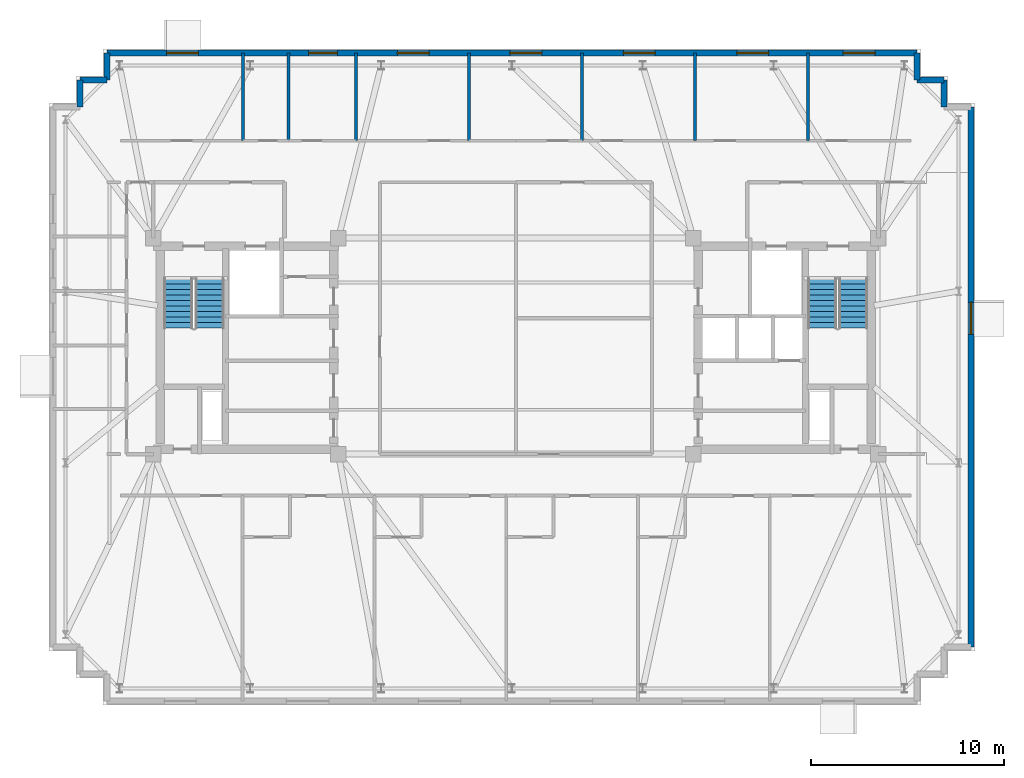
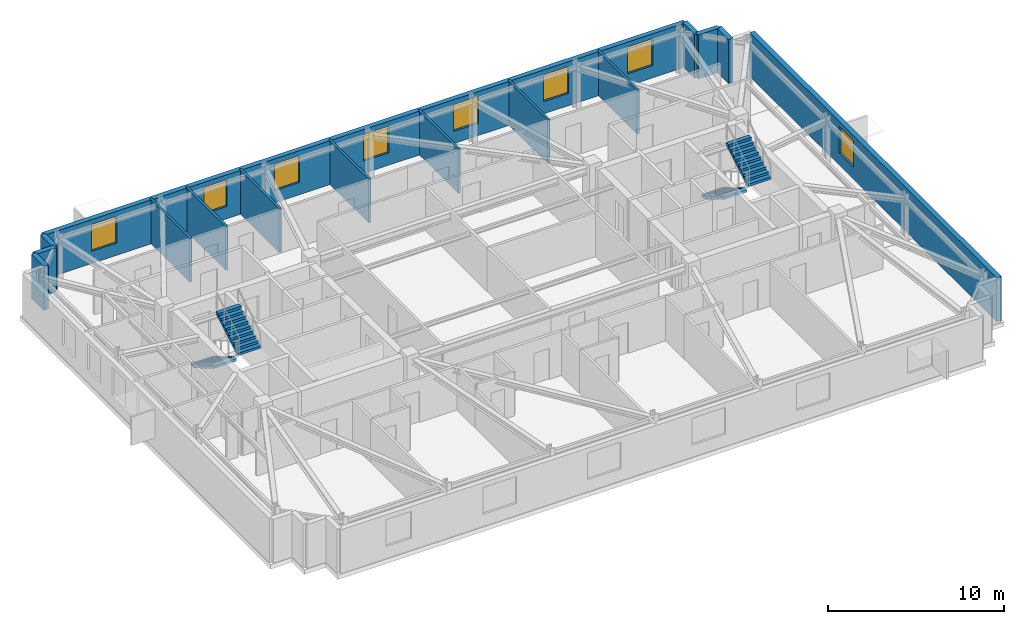
# One storey, part 9 of 11: 15 walls, 8 windows, 4 stair flights, 8 openings, 2 elements without a shape of their own.
"""IFC4 building model written with IfcOpenShell, lengths in metres."""

import ifcopenshell
import ifcopenshell.guid

model = None  # the IFC model being written
_history = None  # IfcOwnerHistory: only IFC2X3 demands one
_inside = {}  # id of a spatial element -> (the spatial element, [elements in it])
_under = {}  # id of a project, library or spatial element -> (it, [spatial elements below it])
_declared = {}  # id of a project -> (the project, [libraries it declares])
_typed = {}  # id of a type object -> (the type object, [elements of that type])
_made_of = {}  # id of a material, layer set ... -> (it, [elements and type objects made of it])


def new_model(schema):
    """Start an empty IFC model of exactly this schema.

    Asked for "IFC4X3", IfcOpenShell would pick the latest addendum, in which some entities
    have other attributes; the version numbers below select the first issue.
    IFC2X3 requires an IfcOwnerHistory on every rooted entity: one is made here for all.
    """
    global model, _history
    if schema == "IFC4X3":
        model = ifcopenshell.file(schema_version=(4, 3, 0, 0))
    else:
        model = ifcopenshell.file(schema=schema)
    _inside.clear()
    _under.clear()
    _declared.clear()
    _typed.clear()
    _made_of.clear()
    _history = None
    if model.schema == "IFC2X3":
        org = make("IfcOrganization", Name="unknown")
        user = make(
            "IfcPersonAndOrganization",
            ThePerson=make("IfcPerson", FamilyName="unknown"),
            TheOrganization=org,
        )
        app = make(
            "IfcApplication",
            ApplicationDeveloper=org,
            Version="unknown",
            ApplicationFullName="unknown",
            ApplicationIdentifier="unknown",
        )
        _history = make(
            "IfcOwnerHistory",
            OwningUser=user,
            OwningApplication=app,
            ChangeAction="ADDED",
            CreationDate=0,
        )
    return model


def make(cls, **values):
    """One entity of the class cls with the attributes given. An attribute that is None is left unset."""
    return model.create_entity(
        cls, **{name: value for name, value in values.items() if value is not None}
    )


def rooted(cls, **values):
    """An entity with a GlobalId (a new one), such as an element, a storey or a relation."""
    return make(cls, GlobalId=ifcopenshell.guid.new(), OwnerHistory=_history, **values)


def si_unit(unit_type, name, prefix=None):
    """IfcSIUnit, for example si_unit("LENGTHUNIT", "METRE", prefix="MILLI")."""
    return make("IfcSIUnit", UnitType=unit_type, Prefix=prefix, Name=name)


def assignment(units):
    """IfcUnitAssignment: the units of a project."""
    return None if units is None else make("IfcUnitAssignment", Units=units)


def point(xyz):
    """IfcCartesianPoint."""
    return None if xyz is None else make("IfcCartesianPoint", Coordinates=xyz)


def direction(xyz):
    """IfcDirection."""
    return None if xyz is None else make("IfcDirection", DirectionRatios=xyz)


def frame(location, z_axis=None, x_axis=None):
    """IfcAxis2Placement3D, a coordinate frame: its origin and axes. An axis left out is left unset."""
    return make(
        "IfcAxis2Placement3D",
        Location=point(location),
        Axis=direction(z_axis),
        RefDirection=direction(x_axis),
    )


def frame_2d(location, x_axis=None):
    """IfcAxis2Placement2D, a coordinate frame in the plane: its origin and x axis."""
    return make(
        "IfcAxis2Placement2D", Location=point(location), RefDirection=direction(x_axis)
    )


def origin():
    """The frame at (0, 0, 0) with its axes left unset."""
    return frame((0.0, 0.0, 0.0))


def place(relative_to, where):
    """IfcLocalPlacement: puts the frame where relative to a parent placement (None: the world)."""
    return make(
        "IfcLocalPlacement", PlacementRelTo=relative_to, RelativePlacement=where
    )


def context(
    kind, dimensions, precision=None, world=None, true_north=None, identifier=None
):
    """IfcGeometricRepresentationContext, for example the 3D "Model" context."""
    return make(
        "IfcGeometricRepresentationContext",
        ContextIdentifier=identifier,
        ContextType=kind,
        CoordinateSpaceDimension=dimensions,
        Precision=precision,
        WorldCoordinateSystem=world,
        TrueNorth=true_north,
    )


def subcontext(parent, identifier, kind, view, scale=None):
    """IfcGeometricRepresentationSubContext, for example "Body" below "Model"."""
    return make(
        "IfcGeometricRepresentationSubContext",
        ContextIdentifier=identifier,
        ContextType=kind,
        ParentContext=parent,
        TargetScale=scale,
        TargetView=view,
    )


def project(units=None, contexts=None):
    """IfcProject with its units and contexts."""
    return rooted(
        "IfcProject",
        Name="project",
        RepresentationContexts=contexts,
        UnitsInContext=assignment(units),
    )


def spatial(cls, under=None, at=None, **own):
    """A site, building, storey or space (cls), placed at a placement, below another one or the project."""
    s = rooted(cls, ObjectPlacement=at, **own)
    if under is not None:
        _under.setdefault(under.id(), (under, []))[1].append(s)
    return s


def polyline(points):
    """IfcPolyline through the points."""
    return make("IfcPolyline", Points=[point(p) for p in points])


def profile(cls, at=None, kind="AREA", **sizes):
    """A parametric profile (cls). Its sizes go by their IFC names, for example OverallWidth=200.0."""
    return make(cls, ProfileType=kind, Position=at, **sizes)


def rectangle(**sizes):
    """IfcRectangleProfileDef."""
    return profile("IfcRectangleProfileDef", **sizes)


def outline(outer, holes=None, kind="AREA"):
    """IfcArbitraryClosedProfileDef: a profile drawn as a closed curve; with holes, ...WithVoids."""
    if holes is None:
        return make("IfcArbitraryClosedProfileDef", ProfileType=kind, OuterCurve=outer)
    return make(
        "IfcArbitraryProfileDefWithVoids",
        ProfileType=kind,
        OuterCurve=outer,
        InnerCurves=holes,
    )


def extrude(swept, where, along, depth):
    """IfcExtrudedAreaSolid: the profile swept, set in the frame where, extruded along a direction by depth."""
    return make(
        "IfcExtrudedAreaSolid",
        SweptArea=swept,
        Position=where,
        ExtrudedDirection=direction(along),
        Depth=depth,
    )


def shape(context_of_items, identifier, shape_type, items):
    """IfcShapeRepresentation: the items that make up one representation, for example the "Body"."""
    return make(
        "IfcShapeRepresentation",
        ContextOfItems=context_of_items,
        RepresentationIdentifier=identifier,
        RepresentationType=shape_type,
        Items=items,
    )


def material(Name=None, Category=None):
    """IfcMaterial."""
    return make("IfcMaterial", Name=Name, Category=Category)


def layer(
    of_material, thickness, ventilated=None, Name=None, Category=None, Priority=None
):
    """IfcMaterialLayer: one layer of a wall or slab, of a material (None: an air gap)."""
    return make(
        "IfcMaterialLayer",
        Material=of_material,
        LayerThickness=thickness,
        IsVentilated=ventilated,
        Name=Name,
        Category=Category,
        Priority=Priority,
    )


def layer_set(layers, Name=None):
    """IfcMaterialLayerSet."""
    return make("IfcMaterialLayerSet", MaterialLayers=layers, LayerSetName=Name)


def made_of(thing, what):
    """Note that an element or type object is made of a material, layer set ...; save() writes the relation."""
    if what is not None:
        _made_of.setdefault(what.id(), (what, []))[1].append(thing)
    return thing


def type_object(cls, material=None, **own):
    """A type object (cls), such as IfcWallType, which elements share."""
    return made_of(rooted(cls, **own), material)


def element(
    cls,
    number,
    at=None,
    inside=None,
    cuts=None,
    type_object=None,
    material=None,
    context=None,
    identifier="Body",
    shape_type=None,
    held_by="IfcProductDefinitionShape",
    body=None,
    shapes=None,
    **own,
):
    """One element of the class cls, such as IfcWall. Its Tag is "e" and its number.

    at: its placement. inside: the storey or other place that contains it. cuts: it is an
    opening in that element (IfcRelVoidsElement). A single representation is given by context,
    identifier, shape_type and body (its items); several are given by shapes. held_by: the class
    of the entity that holds the representations. save() writes the other relations.
    """
    e = rooted(cls, Tag="e%d" % number, ObjectPlacement=at, **own)
    if body is not None:
        shapes = [shape(context, identifier, shape_type, body)]
    if shapes is not None:
        e.Representation = make(held_by, Representations=shapes)
    if inside is not None:
        _inside.setdefault(inside.id(), (inside, []))[1].append(e)
    if cuts is not None:
        rooted(
            "IfcRelVoidsElement", RelatingBuildingElement=cuts, RelatedOpeningElement=e
        )
    if type_object is not None:
        _typed.setdefault(type_object.id(), (type_object, []))[1].append(e)
    return made_of(e, material)


def fill(opening, filler):
    """IfcRelFillsElement: the door or window that sits in an opening."""
    return rooted(
        "IfcRelFillsElement",
        RelatingOpeningElement=opening,
        RelatedBuildingElement=filler,
    )


def aggregate(whole, parts):
    """IfcRelAggregates: a whole, such as a stair, and the parts it consists of."""
    return rooted("IfcRelAggregates", RelatingObject=whole, RelatedObjects=parts)


def save(model, path):
    """Write the relations noted so far, then the file.

    IfcRelAggregates (storeys below a building ...), IfcRelContainedInSpatialStructure (elements
    in a storey), IfcRelDefinesByType, IfcRelAssociatesMaterial and IfcRelDeclares: one each for
    every whole, place, type object, material and project.
    """
    for whole, parts in _under.values():
        aggregate(whole, parts)
    for where, things in _inside.values():
        rooted(
            "IfcRelContainedInSpatialStructure",
            RelatedElements=things,
            RelatingStructure=where,
        )
    for kind, things in _typed.values():
        rooted("IfcRelDefinesByType", RelatedObjects=things, RelatingType=kind)
    for what, things in _made_of.values():
        rooted("IfcRelAssociatesMaterial", RelatedObjects=things, RelatingMaterial=what)
    for by, libraries in _declared.values():
        rooted("IfcRelDeclares", RelatingContext=by, RelatedDefinitions=libraries)
    model.write(path)


model = new_model("IFC4")

# Units and contexts
model_context = context("Model", 3, precision=1e-05, world=origin(), true_north=direction((0.0, 1.0)))
body_context = subcontext(model_context, "Body", "Model", "MODEL_VIEW")
ifc_project = project(units=[si_unit("LENGTHUNIT", "METRE"), si_unit("AREAUNIT", "SQUARE_METRE"), si_unit("VOLUMEUNIT", "CUBIC_METRE"), si_unit("PLANEANGLEUNIT", "RADIAN"), si_unit("MASSUNIT", "GRAM", prefix="KILO")], contexts=[model_context])

# Site, building, storey
site_placement = place(None, origin())
site = spatial("IfcSite", under=ifc_project, at=site_placement, CompositionType="ELEMENT")
building_placement = place(site_placement, origin())
building = spatial("IfcBuilding", under=site, at=building_placement, Name="Qobustan Lattice House", CompositionType="ELEMENT")
storey_placement = place(building_placement, frame((0.0, 0.0, 248.39990234375)))
storey = spatial("IfcBuildingStorey", under=building, at=storey_placement, Name="L70", CompositionType="ELEMENT", Elevation=248.39990234375)

# Walls
ifc_material_1 = material(Name="Precast concrete C40/50", Category="concrete")
ifc_layer_1 = layer(ifc_material_1, 0.320068359375)
ifc_layer_set_1 = layer_set([ifc_layer_1], Name="Precast concrete C40/50")
wall_type_1 = type_object("IfcWallType", Name="WAL-EXT-STONE-320", PredefinedType="SOLIDWALL", material=ifc_layer_set_1)
for number, where, z_axis, x_axis, name in (
    (1, (-22.60009765625, 12.39990234375, 0.0), (0.0, 0.0, 1.0), (0.0, 1.0, 0.0), "L70 exterior limestone-clad wall 7"),
    (2, (-22.60009765625, 13.800048828125, 0.0), (0.0, 0.0, 1.0), (1.0, 0.0, 0.0), "L70 exterior limestone-clad wall 8"),
):
    element("IfcWall", number, at=place(storey_placement, frame(where, z_axis=z_axis, x_axis=x_axis)), inside=storey, type_object=wall_type_1, Name=name, PredefinedType="SOLIDWALL", context=body_context, shape_type="SweptSolid", body=[
        extrude(rectangle(XDim=1.400146484375, YDim=0.320068359375, at=frame_2d((0.7001953125, 0.0))), origin(), (0.0, 0.0, 1.0), 3.0400390625),
    ])
wall_1_placement = place(storey_placement, frame((-21.199951171875, 13.800048828125, 0.0), z_axis=(0.0, 0.0, 1.0), x_axis=(0.0, 1.0, 0.0)))
element("IfcWall", 3, at=wall_1_placement, inside=storey, type_object=wall_type_1, Name="L70 exterior limestone-clad wall 9", PredefinedType="SOLIDWALL", context=body_context, shape_type="SweptSolid", body=[
    extrude(rectangle(XDim=1.39990234375, YDim=0.320068359375, at=frame_2d((0.699951171875, 0.0))), origin(), (0.0, 0.0, 1.0), 3.0400390625),
])

# Wall, openings, windows
wall_2_placement = place(storey_placement, frame((-21.199951171875, 15.199951171875, 0.0), z_axis=(0.0, 0.0, 1.0), x_axis=(1.0, 0.0, 0.0)))
wall_2 = element("IfcWall", 4, at=wall_2_placement, inside=storey, type_object=wall_type_1, Name="L70 exterior limestone-clad wall 10", PredefinedType="SOLIDWALL", context=body_context, shape_type="SweptSolid", body=[
    extrude(rectangle(XDim=42.0, YDim=0.320068359375, at=frame_2d((21.0, 0.0))), origin(), (0.0, 0.0, 1.0), 3.0400390625),
])
opening_1_placement = place(wall_2_placement, frame((3.094970703125, 0.0, 0.85009765625)))
opening_1 = element("IfcOpeningElement", 5, at=opening_1_placement, cuts=wall_2, Name="Opening WN-09", PredefinedType="OPENING", context=body_context, shape_type="SweptSolid", body=[
    extrude(rectangle(XDim=1.64990234375, YDim=1.85009765625, at=frame_2d((0.824951171875, 0.925048828125))), frame((0.0, 0.169921875, 0.0), z_axis=(0.0, -1.0, 0.0), x_axis=(1.0, 0.0, 0.0)), (0.0, 0.0, 1.0), 0.340087890625),
])
opening_2_placement = place(wall_2_placement, frame((10.449951171875, 0.0, 0.85009765625)))
opening_2 = element("IfcOpeningElement", 6, at=opening_2_placement, cuts=wall_2, Name="Opening WN-01", PredefinedType="OPENING", context=body_context, shape_type="SweptSolid", body=[
    extrude(rectangle(XDim=1.5, YDim=1.85009765625, at=frame_2d((0.75, 0.925048828125))), frame((0.0, 0.169921875, 0.0), z_axis=(0.0, -1.0, 0.0), x_axis=(1.0, 0.0, 0.0)), (0.0, 0.0, 1.0), 0.340087890625),
])
opening_3_placement = place(wall_2_placement, frame((15.054931640625, 0.0, 0.85009765625)))
opening_3 = element("IfcOpeningElement", 7, at=opening_3_placement, cuts=wall_2, Name="Opening WN-09", PredefinedType="OPENING", context=body_context, shape_type="SweptSolid", body=[
    extrude(rectangle(XDim=1.64990234375, YDim=1.85009765625, at=frame_2d((0.824951171875, 0.925048828125))), frame((0.0, 0.169921875, 0.0), z_axis=(0.0, -1.0, 0.0), x_axis=(1.0, 0.0, 0.0)), (0.0, 0.0, 1.0), 0.340087890625),
])
opening_4_placement = place(wall_2_placement, frame((20.89501953125, 0.0, 0.85009765625)))
opening_4 = element("IfcOpeningElement", 8, at=opening_4_placement, cuts=wall_2, Name="Opening WN-09", PredefinedType="OPENING", context=body_context, shape_type="SweptSolid", body=[
    extrude(rectangle(XDim=1.64990234375, YDim=1.85009765625, at=frame_2d((0.824951171875, 0.925048828125))), frame((0.0, 0.169921875, 0.0), z_axis=(0.0, -1.0, 0.0), x_axis=(1.0, 0.0, 0.0)), (0.0, 0.0, 1.0), 0.340087890625),
])
opening_5_placement = place(wall_2_placement, frame((26.77490234375, 0.0, 0.85009765625)))
opening_5 = element("IfcOpeningElement", 9, at=opening_5_placement, cuts=wall_2, Name="Opening WN-09", PredefinedType="OPENING", context=body_context, shape_type="SweptSolid", body=[
    extrude(rectangle(XDim=1.64990234375, YDim=1.85009765625, at=frame_2d((0.824951171875, 0.925048828125))), frame((0.0, 0.169921875, 0.0), z_axis=(0.0, -1.0, 0.0), x_axis=(1.0, 0.0, 0.0)), (0.0, 0.0, 1.0), 0.340087890625),
])
opening_6_placement = place(wall_2_placement, frame((32.655029296875, 0.0, 0.85009765625)))
opening_6 = element("IfcOpeningElement", 10, at=opening_6_placement, cuts=wall_2, Name="Opening WN-09", PredefinedType="OPENING", context=body_context, shape_type="SweptSolid", body=[
    extrude(rectangle(XDim=1.64990234375, YDim=1.85009765625, at=frame_2d((0.824951171875, 0.925048828125))), frame((0.0, 0.169921875, 0.0), z_axis=(0.0, -1.0, 0.0), x_axis=(1.0, 0.0, 0.0)), (0.0, 0.0, 1.0), 0.340087890625),
])
opening_7_placement = place(wall_2_placement, frame((38.175048828125, 0.0, 0.85009765625)))
opening_7 = element("IfcOpeningElement", 11, at=opening_7_placement, cuts=wall_2, Name="Opening WN-09", PredefinedType="OPENING", context=body_context, shape_type="SweptSolid", body=[
    extrude(rectangle(XDim=1.64990234375, YDim=1.85009765625, at=frame_2d((0.824951171875, 0.925048828125))), frame((0.0, 0.169921875, 0.0), z_axis=(0.0, -1.0, 0.0), x_axis=(1.0, 0.0, 0.0)), (0.0, 0.0, 1.0), 0.340087890625),
])
ifc_material_2 = material(Name="Double-glazed low-E aluminium window", Category="aluminium")
window_type_1 = type_object("IfcWindowType", Name="WIN-BED-1500x1850", PartitioningType="SINGLE_PANEL", PredefinedType="WINDOW", material=ifc_material_2)
window_1_placement = place(opening_2_placement, origin())
window_1 = element("IfcWindow", 12, at=window_1_placement, inside=storey, type_object=window_type_1, Name="L70 Laundry utility room window", OverallHeight=1.85009765625, OverallWidth=1.5, PartitioningType="SINGLE_PANEL", PredefinedType="WINDOW", context=body_context, shape_type="SweptSolid", body=[
    extrude(rectangle(XDim=1.5, YDim=1.85009765625, at=frame_2d((0.75, 0.925048828125))), frame((0.0, 0.030029296875, 0.0), z_axis=(0.0, -1.0, 0.0), x_axis=(1.0, 0.0, 0.0)), (0.0, 0.0, 1.0), 0.06005859375),
])
fill(opening_2, window_1)
ifc_material_3 = material(Name="Double-glazed low-E aluminium window", Category="aluminium")
window_type_2 = type_object("IfcWindowType", Name="WIN-STU-1650x1850", PartitioningType="SINGLE_PANEL", PredefinedType="WINDOW", material=ifc_material_3)
window_2_placement = place(opening_1_placement, origin())
window_2 = element("IfcWindow", 13, at=window_2_placement, inside=storey, type_object=window_type_2, Name="L70 Focus study room N1 window", OverallHeight=1.85009765625, OverallWidth=1.64990234375, PartitioningType="SINGLE_PANEL", PredefinedType="WINDOW", context=body_context, shape_type="SweptSolid", body=[
    extrude(rectangle(XDim=1.64990234375, YDim=1.85009765625, at=frame_2d((0.824951171875, 0.925048828125))), frame((0.0, 0.030029296875, 0.0), z_axis=(0.0, -1.0, 0.0), x_axis=(1.0, 0.0, 0.0)), (0.0, 0.0, 1.0), 0.06005859375),
])
fill(opening_1, window_2)
window_3_placement = place(opening_3_placement, origin())
window_3 = element("IfcWindow", 14, at=window_3_placement, inside=storey, type_object=window_type_2, Name="L70 Focus study room N3 window", OverallHeight=1.85009765625, OverallWidth=1.64990234375, PartitioningType="SINGLE_PANEL", PredefinedType="WINDOW", context=body_context, shape_type="SweptSolid", body=[
    extrude(rectangle(XDim=1.64990234375, YDim=1.85009765625, at=frame_2d((0.824951171875, 0.925048828125))), frame((0.0, 0.030029296875, 0.0), z_axis=(0.0, -1.0, 0.0), x_axis=(1.0, 0.0, 0.0)), (0.0, 0.0, 1.0), 0.06005859375),
])
fill(opening_3, window_3)
window_4_placement = place(opening_4_placement, origin())
window_4 = element("IfcWindow", 15, at=window_4_placement, inside=storey, type_object=window_type_2, Name="L70 Focus study room N4 window", OverallHeight=1.85009765625, OverallWidth=1.64990234375, PartitioningType="SINGLE_PANEL", PredefinedType="WINDOW", context=body_context, shape_type="SweptSolid", body=[
    extrude(rectangle(XDim=1.64990234375, YDim=1.85009765625, at=frame_2d((0.824951171875, 0.925048828125))), frame((0.0, 0.030029296875, 0.0), z_axis=(0.0, -1.0, 0.0), x_axis=(1.0, 0.0, 0.0)), (0.0, 0.0, 1.0), 0.06005859375),
])
fill(opening_4, window_4)
window_5_placement = place(opening_5_placement, origin())
window_5 = element("IfcWindow", 16, at=window_5_placement, inside=storey, type_object=window_type_2, Name="L70 Focus study room N5 window", OverallHeight=1.85009765625, OverallWidth=1.64990234375, PartitioningType="SINGLE_PANEL", PredefinedType="WINDOW", context=body_context, shape_type="SweptSolid", body=[
    extrude(rectangle(XDim=1.64990234375, YDim=1.85009765625, at=frame_2d((0.824951171875, 0.925048828125))), frame((0.0, 0.030029296875, 0.0), z_axis=(0.0, -1.0, 0.0), x_axis=(1.0, 0.0, 0.0)), (0.0, 0.0, 1.0), 0.06005859375),
])
fill(opening_5, window_5)
window_6_placement = place(opening_6_placement, origin())
window_6 = element("IfcWindow", 17, at=window_6_placement, inside=storey, type_object=window_type_2, Name="L70 Focus study room N6 window", OverallHeight=1.85009765625, OverallWidth=1.64990234375, PartitioningType="SINGLE_PANEL", PredefinedType="WINDOW", context=body_context, shape_type="SweptSolid", body=[
    extrude(rectangle(XDim=1.64990234375, YDim=1.85009765625, at=frame_2d((0.824951171875, 0.925048828125))), frame((0.0, 0.030029296875, 0.0), z_axis=(0.0, -1.0, 0.0), x_axis=(1.0, 0.0, 0.0)), (0.0, 0.0, 1.0), 0.06005859375),
])
fill(opening_6, window_6)
window_7_placement = place(opening_7_placement, origin())
window_7 = element("IfcWindow", 18, at=window_7_placement, inside=storey, type_object=window_type_2, Name="L70 Focus study room N7 window", OverallHeight=1.85009765625, OverallWidth=1.64990234375, PartitioningType="SINGLE_PANEL", PredefinedType="WINDOW", context=body_context, shape_type="SweptSolid", body=[
    extrude(rectangle(XDim=1.64990234375, YDim=1.85009765625, at=frame_2d((0.824951171875, 0.925048828125))), frame((0.0, 0.030029296875, 0.0), z_axis=(0.0, -1.0, 0.0), x_axis=(1.0, 0.0, 0.0)), (0.0, 0.0, 1.0), 0.06005859375),
])
fill(opening_7, window_7)

# Walls
for number, where, z_axis, x_axis, name in (
    (19, (20.800048828125, 15.199951171875, 0.0), (0.0, 0.0, 1.0), (0.0, -1.0, 0.0), "L70 exterior limestone-clad wall 11"),
    (20, (20.800048828125, 13.800048828125, 0.0), (0.0, 0.0, 1.0), (1.0, 0.0, 0.0), "L70 exterior limestone-clad wall 12"),
):
    element("IfcWall", number, at=place(storey_placement, frame(where, z_axis=z_axis, x_axis=x_axis)), inside=storey, type_object=wall_type_1, Name=name, PredefinedType="SOLIDWALL", context=body_context, shape_type="SweptSolid", body=[
        extrude(rectangle(XDim=1.39990234375, YDim=0.320068359375, at=frame_2d((0.699951171875, 0.0))), origin(), (0.0, 0.0, 1.0), 3.0400390625),
    ])
wall_3_placement = place(storey_placement, frame((22.199951171875, 13.800048828125, 0.0), z_axis=(0.0, 0.0, 1.0), x_axis=(0.0, -1.0, 0.0)))
element("IfcWall", 21, at=wall_3_placement, inside=storey, type_object=wall_type_1, Name="L70 exterior limestone-clad wall 13", PredefinedType="SOLIDWALL", context=body_context, shape_type="SweptSolid", body=[
    extrude(rectangle(XDim=1.400146484375, YDim=0.320068359375, at=frame_2d((0.7001953125, 0.0))), origin(), (0.0, 0.0, 1.0), 3.0400390625),
])

# Wall, opening, window
wall_4_placement = place(storey_placement, frame((23.60009765625, 12.39990234375, 0.0), z_axis=(0.0, 0.0, 1.0), x_axis=(0.0, -1.0, 0.0)))
wall_4 = element("IfcWall", 22, at=wall_4_placement, inside=storey, type_object=wall_type_1, Name="L70 exterior limestone-clad wall 15", PredefinedType="SOLIDWALL", context=body_context, shape_type="SweptSolid", body=[
    extrude(rectangle(XDim=28.0, YDim=0.320068359375, at=frame_2d((14.0, 0.0))), origin(), (0.0, 0.0, 1.0), 3.0400390625),
])
opening_8_placement = place(wall_4_placement, frame((10.135009765625, 0.0, 0.85009765625)))
opening_8 = element("IfcOpeningElement", 23, at=opening_8_placement, cuts=wall_4, Name="Opening WN-09", PredefinedType="OPENING", context=body_context, shape_type="SweptSolid", body=[
    extrude(rectangle(XDim=1.64990234375, YDim=1.85009765625, at=frame_2d((0.824951171875, 0.925048828125))), frame((0.0, 0.169921875, 0.0), z_axis=(0.0, -1.0, 0.0), x_axis=(1.0, 0.0, 0.0)), (0.0, 0.0, 1.0), 0.340087890625),
])
window_8_placement = place(opening_8_placement, origin())
window_8 = element("IfcWindow", 24, at=window_8_placement, inside=storey, type_object=window_type_2, Name="L70 Communal study lounge window", OverallHeight=1.85009765625, OverallWidth=1.64990234375, PartitioningType="SINGLE_PANEL", PredefinedType="WINDOW", context=body_context, shape_type="SweptSolid", body=[
    extrude(rectangle(XDim=1.64990234375, YDim=1.85009765625, at=frame_2d((0.824951171875, 0.925048828125))), frame((0.0, 0.030029296875, 0.0), z_axis=(0.0, -1.0, 0.0), x_axis=(1.0, 0.0, 0.0)), (0.0, 0.0, 1.0), 0.06005859375),
])
fill(opening_8, window_8)

# Walls
ifc_material_4 = material(Name="Acoustic twin-stud gypsum partition", Category="gypsum")
ifc_layer_2 = layer(ifc_material_4, 0.14990234375)
ifc_layer_set_2 = layer_set([ifc_layer_2], Name="Acoustic twin-stud gypsum partition")
wall_type_2 = type_object("IfcWallType", Name="WAL-PART-150", PredefinedType="PARTITIONING", material=ifc_layer_set_2)
for number, where, z_axis, x_axis, name in (
    (25, (-8.285888671875, 15.199951171875, 0.0), (0.0, 0.0, 1.0), (0.0, -1.0, 0.0), "L70 interior partition 75"),
    (26, (-2.428955078125, 15.199951171875, 0.0), (0.0, 0.0, 1.0), (0.0, -1.0, 0.0), "L70 interior partition 76"),
    (27, (3.428955078125, 15.199951171875, 0.0), (0.0, 0.0, 1.0), (0.0, -1.0, 0.0), "L70 interior partition 77"),
    (28, (9.285888671875, 15.199951171875, 0.0), (0.0, 0.0, 1.0), (0.0, -1.0, 0.0), "L70 interior partition 78"),
    (29, (15.14306640625, 15.199951171875, 0.0), (0.0, 0.0, 1.0), (0.0, -1.0, 0.0), "L70 interior partition 79"),
):
    element("IfcWall", number, at=place(storey_placement, frame(where, z_axis=z_axis, x_axis=x_axis)), inside=storey, type_object=wall_type_2, Name=name, PredefinedType="PARTITIONING", context=body_context, shape_type="SweptSolid", body=[
        extrude(rectangle(XDim=4.550048828125, YDim=0.14990234375, at=frame_2d((2.27490234375, 0.0))), origin(), (0.0, 0.0, 1.0), 3.0400390625),
    ])
ifc_material_5 = material(Name="Moisture-resistant acoustic plumbing wall", Category="gypsum")
ifc_layer_3 = layer(ifc_material_5, 0.14990234375)
ifc_layer_set_3 = layer_set([ifc_layer_3], Name="Moisture-resistant acoustic plumbing wall")
wall_type_3 = type_object("IfcWallType", Name="WAL-WET-150", PredefinedType="PLUMBINGWALL", material=ifc_layer_set_3)
for number, where, z_axis, x_axis, name in (
    (30, (-14.14306640625, 15.199951171875, 0.0), (0.0, 0.0, 1.0), (0.0, -1.0, 0.0), "L70 interior partition 73"),
    (31, (-11.79296875, 15.199951171875, 0.0), (0.0, 0.0, 1.0), (0.0, -1.0, 0.0), "L70 interior partition 74"),
):
    element("IfcWall", number, at=place(storey_placement, frame(where, z_axis=z_axis, x_axis=x_axis)), inside=storey, type_object=wall_type_3, Name=name, PredefinedType="PLUMBINGWALL", context=body_context, shape_type="SweptSolid", body=[
        extrude(rectangle(XDim=4.550048828125, YDim=0.14990234375, at=frame_2d((2.27490234375, 0.0))), origin(), (0.0, 0.0, 1.0), 3.0400390625),
    ])

# Stair, stair flights
ifc_material_6 = material(Name="Concrete C40/50", Category="concrete")
stair_type = type_object("IfcStairType", Name="STR-CORE-DOGLEG", PredefinedType="HALF_TURN_STAIR", material=ifc_material_6)
stair_1_placement = place(storey_placement, origin())
stair_1 = element("IfcStair", 32, at=stair_1_placement, inside=storey, type_object=stair_type, Name="L70 West protected exit stair ST-W1", PredefinedType="HALF_TURN_STAIR")
ifc_material_7 = material(Name="Concrete C40/50", Category="concrete")
stair_flight_type = type_object("IfcStairFlightType", Name="SFL-RC-1500", PredefinedType="STRAIGHT", material=ifc_material_7)
stair_flight_1_placement = place(storey_placement, frame((-17.5, 3.5, 0.0), z_axis=(0.0, 0.0, 1.0), x_axis=(0.0, -1.0, 0.0)))
stair_flight_1 = element("IfcStairFlight", 33, at=stair_flight_1_placement, type_object=stair_flight_type, Name="ST-W1 flight 1", NumberOfRisers=10, NumberOfTreads=9, PredefinedType="STRAIGHT", RiserHeight=0.1675, TreadLength=0.285, context=body_context, shape_type="SweptSolid", body=[
    extrude(outline(polyline([(0.0, 0.0), (0.0, 0.16748046875), (0.284912109375, 0.16748046875), (0.284912109375, 0.3349609375), (0.570068359375, 0.3349609375), (0.570068359375, 0.50244140625), (0.85498046875, 0.50244140625), (0.85498046875, 0.669921875), (1.139892578125, 0.669921875), (1.139892578125, 0.83740234375), (1.425048828125, 0.83740234375), (1.425048828125, 1.0048828125), (1.7099609375, 1.0048828125), (1.7099609375, 1.172607421875), (1.9951171875, 1.172607421875), (1.9951171875, 1.340087890625), (2.280029296875, 1.340087890625), (2.280029296875, 1.507568359375), (2.56494140625, 1.507568359375), (2.56494140625, 1.675048828125), (2.56494140625, 1.333740234375), (0.2958984375, 0.0), (0.0, 0.0)])), frame((0.0, 0.75, 0.0), z_axis=(0.0, -1.0, 0.0), x_axis=(1.0, 0.0, 0.0)), (0.0, 0.0, 1.0), 1.5),
])
stair_flight_2_placement = place(storey_placement, frame((-15.8798828125, 0.93505859375, 1.675048828125), z_axis=(0.0, 0.0, 1.0), x_axis=(0.0, 1.0, 0.0)))
stair_flight_2 = element("IfcStairFlight", 34, at=stair_flight_2_placement, type_object=stair_flight_type, Name="ST-W1 flight 2", NumberOfRisers=10, NumberOfTreads=9, PredefinedType="STRAIGHT", RiserHeight=0.1675, TreadLength=0.285, context=body_context, shape_type="SweptSolid", body=[
    extrude(outline(polyline([(0.0, 0.0), (0.0, 0.16748046875), (0.284912109375, 0.16748046875), (0.284912109375, 0.3349609375), (0.570068359375, 0.3349609375), (0.570068359375, 0.50244140625), (0.85498046875, 0.50244140625), (0.85498046875, 0.669921875), (1.139892578125, 0.669921875), (1.139892578125, 0.83740234375), (1.425048828125, 0.83740234375), (1.425048828125, 1.0048828125), (1.7099609375, 1.0048828125), (1.7099609375, 1.172607421875), (1.9951171875, 1.172607421875), (1.9951171875, 1.340087890625), (2.280029296875, 1.340087890625), (2.280029296875, 1.507568359375), (2.56494140625, 1.507568359375), (2.56494140625, 1.675048828125), (2.56494140625, 1.333740234375), (0.2958984375, 0.0), (0.0, 0.0)])), frame((0.0, 0.75, 0.0), z_axis=(0.0, -1.0, 0.0), x_axis=(1.0, 0.0, 0.0)), (0.0, 0.0, 1.0), 1.5),
])
aggregate(stair_1, [stair_flight_1, stair_flight_2])

stair_2_placement = place(storey_placement, origin())
stair_2 = element("IfcStair", 35, at=stair_2_placement, inside=storey, type_object=stair_type, Name="L70 East protected exit stair ST-E1", PredefinedType="HALF_TURN_STAIR")
stair_flight_3_placement = place(storey_placement, frame((15.8798828125, 3.5, 0.0), z_axis=(0.0, 0.0, 1.0), x_axis=(0.0, -1.0, 0.0)))
stair_flight_3 = element("IfcStairFlight", 36, at=stair_flight_3_placement, type_object=stair_flight_type, Name="ST-E1 flight 1", NumberOfRisers=10, NumberOfTreads=9, PredefinedType="STRAIGHT", RiserHeight=0.1675, TreadLength=0.285, context=body_context, shape_type="SweptSolid", body=[
    extrude(outline(polyline([(0.0, 0.0), (0.0, 0.16748046875), (0.284912109375, 0.16748046875), (0.284912109375, 0.3349609375), (0.570068359375, 0.3349609375), (0.570068359375, 0.50244140625), (0.85498046875, 0.50244140625), (0.85498046875, 0.669921875), (1.139892578125, 0.669921875), (1.139892578125, 0.83740234375), (1.425048828125, 0.83740234375), (1.425048828125, 1.0048828125), (1.7099609375, 1.0048828125), (1.7099609375, 1.172607421875), (1.9951171875, 1.172607421875), (1.9951171875, 1.340087890625), (2.280029296875, 1.340087890625), (2.280029296875, 1.507568359375), (2.56494140625, 1.507568359375), (2.56494140625, 1.675048828125), (2.56494140625, 1.333740234375), (0.2958984375, 0.0), (0.0, 0.0)])), frame((0.0, 0.75, 0.0), z_axis=(0.0, -1.0, 0.0), x_axis=(1.0, 0.0, 0.0)), (0.0, 0.0, 1.0), 1.5),
])
stair_flight_4_placement = place(storey_placement, frame((17.5, 0.93505859375, 1.675048828125), z_axis=(0.0, 0.0, 1.0), x_axis=(0.0, 1.0, 0.0)))
stair_flight_4 = element("IfcStairFlight", 37, at=stair_flight_4_placement, type_object=stair_flight_type, Name="ST-E1 flight 2", NumberOfRisers=10, NumberOfTreads=9, PredefinedType="STRAIGHT", RiserHeight=0.1675, TreadLength=0.285, context=body_context, shape_type="SweptSolid", body=[
    extrude(outline(polyline([(0.0, 0.0), (0.0, 0.16748046875), (0.284912109375, 0.16748046875), (0.284912109375, 0.3349609375), (0.570068359375, 0.3349609375), (0.570068359375, 0.50244140625), (0.85498046875, 0.50244140625), (0.85498046875, 0.669921875), (1.139892578125, 0.669921875), (1.139892578125, 0.83740234375), (1.425048828125, 0.83740234375), (1.425048828125, 1.0048828125), (1.7099609375, 1.0048828125), (1.7099609375, 1.172607421875), (1.9951171875, 1.172607421875), (1.9951171875, 1.340087890625), (2.280029296875, 1.340087890625), (2.280029296875, 1.507568359375), (2.56494140625, 1.507568359375), (2.56494140625, 1.675048828125), (2.56494140625, 1.333740234375), (0.2958984375, 0.0), (0.0, 0.0)])), frame((0.0, 0.75, 0.0), z_axis=(0.0, -1.0, 0.0), x_axis=(1.0, 0.0, 0.0)), (0.0, 0.0, 1.0), 1.5),
])
aggregate(stair_2, [stair_flight_3, stair_flight_4])

save(model, "model.ifc")
